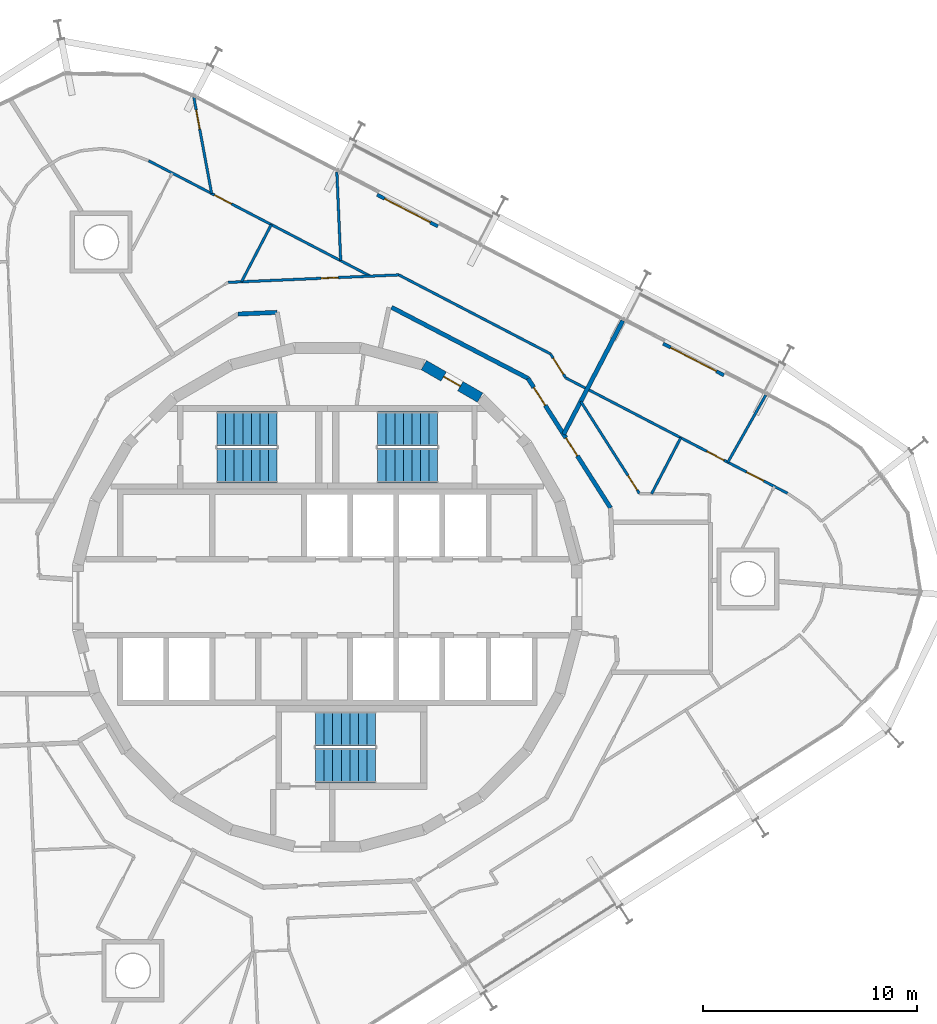
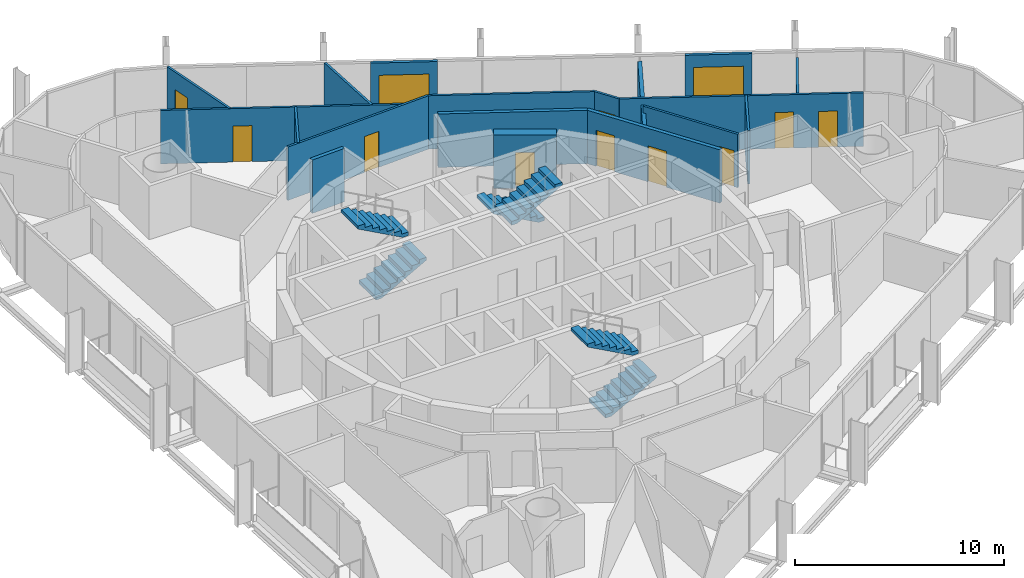
# One storey, part 16 of 17: 18 walls, 12 doors, 6 stair flights, 12 openings, 3 elements without a shape of their own.
"""IFC4 building model written with IfcOpenShell, lengths in metres."""

from ifc_helpers import new_model, si_unit, direction, frame, frame_2d, origin, place, context, subcontext, project, spatial, polyline, rectangle, outline, extrude, material, layer, layer_set, type_object, element, fill, aggregate, save


model = new_model("IFC4")

# Units and contexts
model_context = context("Model", 3, precision=1e-05, world=origin(), true_north=direction((0.0, 1.0)))
body_context = subcontext(model_context, "Body", "Model", "MODEL_VIEW")
ifc_project = project(units=[si_unit("LENGTHUNIT", "METRE"), si_unit("AREAUNIT", "SQUARE_METRE"), si_unit("VOLUMEUNIT", "CUBIC_METRE"), si_unit("PLANEANGLEUNIT", "RADIAN"), si_unit("MASSUNIT", "GRAM", prefix="KILO")], contexts=[model_context])

# Site, building, storey
site_placement = place(None, origin())
site = spatial("IfcSite", under=ifc_project, at=site_placement, CompositionType="ELEMENT")
building_placement = place(site_placement, origin())
building = spatial("IfcBuilding", under=site, at=building_placement, Name="Spindle Arch Residences", CompositionType="ELEMENT")
storey_placement = place(building_placement, frame((0.0, 0.0, 237.199951171875)))
storey = spatial("IfcBuildingStorey", under=building, at=storey_placement, Name="L60", CompositionType="ELEMENT", Elevation=237.199951171875)

# Wall, opening, door
ifc_material_1 = material(Name="Concrete C50/60", Category="concrete")
ifc_layer_1 = layer(ifc_material_1, 0.5)
ifc_layer_set_1 = layer_set([ifc_layer_1], Name="Core outline wall 500")
wall_type_1 = type_object("IfcWallType", Name="Core outline wall 500", PredefinedType="SHEAR", material=ifc_layer_set_1)
wall_1_placement = place(storey_placement, frame((7.13671875, 9.32861328125, 0.0), z_axis=(0.0, 0.0, 1.0), x_axis=(-0.865975092491, 0.500087131594, 0.0)))
wall_1 = element("IfcWall", 1, at=wall_1_placement, inside=storey, type_object=wall_type_1, Name="Core outline wall 10", PredefinedType="SHEAR", context=body_context, shape_type="SweptSolid", body=[
    extrude(rectangle(XDim=3.03271484375, YDim=0.5, at=frame_2d((1.516357421875, 0.0))), origin(), (0.0, 0.0, 1.0), 3.1201171875),
])
opening_1_placement = place(wall_1_placement, frame((1.06640625, 0.0, 0.0)))
opening_1 = element("IfcOpeningElement", 2, at=opening_1_placement, cuts=wall_1, Name="Opening R6B1-WD12", PredefinedType="OPENING", context=body_context, shape_type="SweptSolid", body=[
    extrude(rectangle(XDim=0.89990234375, YDim=2.10009765625, at=frame_2d((0.449951171875, 1.050048828125))), frame((0.0, 0.260009765625, 0.0), z_axis=(0.0, -1.0, 0.0), x_axis=(1.0, 0.0, 0.0)), (0.0, 0.0, 1.0), 0.52001953125),
])
ifc_material_2 = material(Name="Steel, fire-resisting door", Category="steel")
door_type_1 = type_object("IfcDoorType", Name="Service room door 900x2100", OperationType="SINGLE_SWING_LEFT", PredefinedType="DOOR", material=ifc_material_2)
door_1_placement = place(opening_1_placement, origin())
door_1 = element("IfcDoor", 3, at=door_1_placement, inside=storey, type_object=door_type_1, Name="Service room door R6B1-WD12", OperationType="SINGLE_SWING_RIGHT", OverallHeight=2.10009765625, OverallWidth=0.89990234375, PredefinedType="DOOR", context=body_context, shape_type="SweptSolid", body=[
    extrude(rectangle(XDim=0.89990234375, YDim=2.10009765625, at=frame_2d((0.449951171875, 1.050048828125))), frame((0.0, 0.02490234375, 0.0), z_axis=(0.0, -1.0, 0.0), x_axis=(1.0, 0.0, 0.0)), (0.0, 0.0, 1.0), 0.050048828125),
])
fill(opening_1, door_1)

# Wall, openings, doors
ifc_material_3 = material(Name="Calcium silicate block, plastered")
ifc_layer_2 = layer(ifc_material_3, 0.199951171875)
ifc_layer_set_2 = layer_set([ifc_layer_2], Name="Corridor wall 200")
wall_type_2 = type_object("IfcWallType", Name="Corridor wall 200", PredefinedType="STANDARD", material=ifc_layer_set_2)
wall_2_placement = place(storey_placement, frame((13.230712890625, 4.171630859375, 0.0), z_axis=(0.0, 0.0, 1.0), x_axis=(-0.537304397561, 0.843388394728, 0.0)))
wall_2 = element("IfcWall", 4, at=wall_2_placement, inside=storey, type_object=wall_type_2, Name="Corridor wall R6B1-W004", PredefinedType="STANDARD", context=body_context, shape_type="SweptSolid", body=[
    extrude(rectangle(XDim=7.180908203125, YDim=0.199951171875, at=frame_2d((3.59033203125, 0.0))), origin(), (0.0, 0.0, 1.0), 3.1201171875),
])
opening_2_placement = place(wall_2_placement, frame((2.881103515625, 0.0, 0.0)))
opening_2 = element("IfcOpeningElement", 5, at=opening_2_placement, cuts=wall_2, Name="Opening R6B1-FD01", PredefinedType="OPENING", context=body_context, shape_type="SweptSolid", body=[
    extrude(rectangle(XDim=1.0, YDim=2.10009765625, at=frame_2d((0.5, 1.050048828125))), frame((0.0, 0.10986328125, 0.0), z_axis=(0.0, -1.0, 0.0), x_axis=(1.0, 0.0, 0.0)), (0.0, 0.0, 1.0), 0.219970703125),
])
opening_3_placement = place(wall_2_placement, frame((5.68115234375, 0.0, 0.0)))
opening_3 = element("IfcOpeningElement", 6, at=opening_3_placement, cuts=wall_2, Name="Opening R6B1-FD02", PredefinedType="OPENING", context=body_context, shape_type="SweptSolid", body=[
    extrude(rectangle(XDim=1.0, YDim=2.10009765625, at=frame_2d((0.5, 1.050048828125))), frame((0.0, 0.10986328125, 0.0), z_axis=(0.0, -1.0, 0.0), x_axis=(1.0, 0.0, 0.0)), (0.0, 0.0, 1.0), 0.219970703125),
])
ifc_material_4 = material(Name="Timber, fire-resisting door set", Category="wood")
door_type_2 = type_object("IfcDoorType", Name="Flat entrance door 1000x2100", OperationType="NOTDEFINED", PredefinedType="DOOR", material=ifc_material_4)
door_2_placement = place(opening_2_placement, origin())
door_2 = element("IfcDoor", 7, at=door_2_placement, inside=storey, type_object=door_type_2, Name="Flat entrance door R6B1-FD01", OperationType="SINGLE_SWING_LEFT", OverallHeight=2.10009765625, OverallWidth=1.0, PredefinedType="DOOR", context=body_context, shape_type="SweptSolid", body=[
    extrude(rectangle(XDim=1.0, YDim=2.10009765625, at=frame_2d((0.5, 1.050048828125))), frame((0.0, 0.02490234375, 0.0), z_axis=(0.0, -1.0, 0.0), x_axis=(1.0, 0.0, 0.0)), (0.0, 0.0, 1.0), 0.050048828125),
])
fill(opening_2, door_2)
door_3_placement = place(opening_3_placement, origin())
door_3 = element("IfcDoor", 8, at=door_3_placement, inside=storey, type_object=door_type_2, Name="Flat entrance door R6B1-FD02", OperationType="SINGLE_SWING_LEFT", OverallHeight=2.10009765625, OverallWidth=1.0, PredefinedType="DOOR", context=body_context, shape_type="SweptSolid", body=[
    extrude(rectangle(XDim=1.0, YDim=2.10009765625, at=frame_2d((0.5, 1.050048828125))), frame((0.0, 0.02490234375, 0.0), z_axis=(0.0, -1.0, 0.0), x_axis=(1.0, 0.0, 0.0)), (0.0, 0.0, 1.0), 0.050048828125),
])
fill(opening_3, door_3)

# Walls
wall_3_placement = place(storey_placement, frame((9.372314453125, 10.22802734375, 0.0), z_axis=(0.0, 0.0, 1.0), x_axis=(-0.887005184532, 0.461759464021, 0.0)))
element("IfcWall", 9, at=wall_3_placement, inside=storey, type_object=wall_type_2, Name="Corridor wall R6B1-W005", PredefinedType="STANDARD", context=body_context, shape_type="SweptSolid", body=[
    extrude(rectangle(XDim=7.18115234375, YDim=0.199951171875, at=frame_2d((3.590576171875, 0.0))), origin(), (0.0, 0.0, 1.0), 3.1201171875),
])
wall_4_placement = place(storey_placement, frame((-2.346923828125, 13.310302734375, 0.0), z_axis=(0.0, 0.0, 1.0), x_axis=(-0.999050095671, -0.043576442492, 0.0)))
element("IfcWall", 10, at=wall_4_placement, inside=storey, type_object=wall_type_2, Name="Corridor wall R6B1-W011", PredefinedType="STANDARD", context=body_context, shape_type="SweptSolid", body=[
    extrude(rectangle(XDim=1.826416015625, YDim=0.199951171875, at=frame_2d((0.9130859375, 0.0))), origin(), (0.0, 0.0, 1.0), 3.1201171875),
])

# Wall, opening, door
ifc_material_5 = material(Name="Plasterboard on steel studs", Category="steel")
ifc_layer_3 = layer(ifc_material_5, 0.1201171875)
ifc_layer_set_3 = layer_set([ifc_layer_3], Name="Flat partition 120")
wall_type_3 = type_object("IfcWallType", Name="Flat partition 120", PredefinedType="PARTITIONING", material=ifc_layer_set_3)
wall_5_placement = place(storey_placement, frame((14.580078125, 4.844970703125, 0.0), z_axis=(0.0, 0.0, 1.0), x_axis=(-0.537283960997, 0.84340141407, 0.0)))
wall_5 = element("IfcWall", 11, at=wall_5_placement, inside=storey, type_object=wall_type_3, Name="Flat partition R6B1-W039", PredefinedType="PARTITIONING", context=body_context, shape_type="SweptSolid", body=[
    extrude(rectangle(XDim=5.104248046875, YDim=0.1201171875, at=frame_2d((2.55224609375, 0.0))), origin(), (0.0, 0.0, 1.0), 3.1201171875),
])
opening_4_placement = place(wall_5_placement, frame((0.199951171875, 0.0, 0.0)))
opening_4 = element("IfcOpeningElement", 12, at=opening_4_placement, cuts=wall_5, Name="Opening R6B1-BD01", PredefinedType="OPENING", context=body_context, shape_type="SweptSolid", body=[
    extrude(rectangle(XDim=0.800048828125, YDim=2.10009765625, at=frame_2d((0.39990234375, 1.050048828125))), frame((0.0, 0.070068359375, 0.0), z_axis=(0.0, -1.0, 0.0), x_axis=(1.0, 0.0, 0.0)), (0.0, 0.0, 1.0), 0.14013671875),
])
ifc_material_6 = material(Name="Timber door set", Category="wood")
door_type_3 = type_object("IfcDoorType", Name="Bathroom door 800x2100", OperationType="NOTDEFINED", PredefinedType="DOOR", material=ifc_material_6)
door_4_placement = place(opening_4_placement, origin())
door_4 = element("IfcDoor", 13, at=door_4_placement, inside=storey, type_object=door_type_3, Name="Bathroom door R6B1-BD01", OperationType="SINGLE_SWING_LEFT", OverallHeight=2.10009765625, OverallWidth=0.800048828125, PredefinedType="DOOR", context=body_context, shape_type="SweptSolid", body=[
    extrude(rectangle(XDim=0.800048828125, YDim=2.10009765625, at=frame_2d((0.39990234375, 1.050048828125))), frame((0.0, 0.02490234375, 0.0), z_axis=(0.0, -1.0, 0.0), x_axis=(1.0, 0.0, 0.0)), (0.0, 0.0, 1.0), 0.050048828125),
])
fill(opening_4, door_4)

# Wall, openings, doors
wall_6_placement = place(storey_placement, frame((21.495849609375, 4.857666015625, 0.0), z_axis=(0.0, 0.0, 1.0), x_axis=(-0.887020940825, 0.461729196107, 0.0)))
wall_6 = element("IfcWall", 14, at=wall_6_placement, inside=storey, type_object=wall_type_3, Name="Flat partition R6B1-W047", PredefinedType="PARTITIONING", context=body_context, shape_type="SweptSolid", body=[
    extrude(rectangle(XDim=11.678466796875, YDim=0.1201171875, at=frame_2d((5.83935546875, 0.0))), origin(), (0.0, 0.0, 1.0), 3.1201171875),
])
opening_5_placement = place(wall_6_placement, frame((1.25146484375, 0.0, 0.0)))
opening_5 = element("IfcOpeningElement", 15, at=opening_5_placement, cuts=wall_6, Name="Opening R6B1-ID03", PredefinedType="OPENING", context=body_context, shape_type="SweptSolid", body=[
    extrude(rectangle(XDim=0.89990234375, YDim=2.10009765625, at=frame_2d((0.449951171875, 1.050048828125))), frame((0.0, 0.070068359375, 0.0), z_axis=(0.0, -1.0, 0.0), x_axis=(1.0, 0.0, 0.0)), (0.0, 0.0, 1.0), 0.14013671875),
])
opening_6_placement = place(wall_6_placement, frame((3.341064453125, 0.0, 0.0)))
opening_6 = element("IfcOpeningElement", 16, at=opening_6_placement, cuts=wall_6, Name="Opening R6B1-ID04", PredefinedType="OPENING", context=body_context, shape_type="SweptSolid", body=[
    extrude(rectangle(XDim=0.89990234375, YDim=2.10009765625, at=frame_2d((0.449951171875, 1.050048828125))), frame((0.0, 0.070068359375, 0.0), z_axis=(0.0, -1.0, 0.0), x_axis=(1.0, 0.0, 0.0)), (0.0, 0.0, 1.0), 0.14013671875),
])
ifc_material_7 = material(Name="Timber door set", Category="wood")
door_type_4 = type_object("IfcDoorType", Name="Room door 900x2100", OperationType="NOTDEFINED", PredefinedType="DOOR", material=ifc_material_7)
door_5_placement = place(opening_5_placement, origin())
door_5 = element("IfcDoor", 17, at=door_5_placement, inside=storey, type_object=door_type_4, Name="Room door R6B1-ID03", OperationType="SINGLE_SWING_LEFT", OverallHeight=2.10009765625, OverallWidth=0.89990234375, PredefinedType="DOOR", context=body_context, shape_type="SweptSolid", body=[
    extrude(rectangle(XDim=0.89990234375, YDim=2.10009765625, at=frame_2d((0.449951171875, 1.050048828125))), frame((0.0, 0.02490234375, 0.0), z_axis=(0.0, -1.0, 0.0), x_axis=(1.0, 0.0, 0.0)), (0.0, 0.0, 1.0), 0.050048828125),
])
fill(opening_5, door_5)
door_6_placement = place(opening_6_placement, origin())
door_6 = element("IfcDoor", 18, at=door_6_placement, inside=storey, type_object=door_type_4, Name="Room door R6B1-ID04", OperationType="SINGLE_SWING_LEFT", OverallHeight=2.10009765625, OverallWidth=0.89990234375, PredefinedType="DOOR", context=body_context, shape_type="SweptSolid", body=[
    extrude(rectangle(XDim=0.89990234375, YDim=2.10009765625, at=frame_2d((0.449951171875, 1.050048828125))), frame((0.0, 0.02490234375, 0.0), z_axis=(0.0, -1.0, 0.0), x_axis=(1.0, 0.0, 0.0)), (0.0, 0.0, 1.0), 0.050048828125),
])
fill(opening_6, door_6)

# Wall
wall_7_placement = place(storey_placement, frame((16.510498046875, 7.45263671875, 0.0), z_axis=(0.0, 0.0, 1.0), x_axis=(-0.461756693023, -0.88700662706, 0.0)))
element("IfcWall", 19, at=wall_7_placement, inside=storey, type_object=wall_type_3, Name="Flat partition R6B1-W048", PredefinedType="PARTITIONING", context=body_context, shape_type="SweptSolid", body=[
    extrude(rectangle(XDim=2.94921875, YDim=0.1201171875, at=frame_2d((1.474609375, 0.0))), origin(), (0.0, 0.0, 1.0), 3.1201171875),
])

# Wall, opening, door
wall_8_placement = place(storey_placement, frame((11.13671875, 10.25, 0.0), z_axis=(0.0, 0.0, 1.0), x_axis=(-0.537231369635, 0.843434914786, 0.0)))
wall_8 = element("IfcWall", 20, at=wall_8_placement, inside=storey, type_object=wall_type_3, Name="Flat partition R6B1-W050", PredefinedType="PARTITIONING", context=body_context, shape_type="SweptSolid", body=[
    extrude(rectangle(XDim=1.33154296875, YDim=0.1201171875, at=frame_2d((0.665771484375, 0.0))), origin(), (0.0, 0.0, 1.0), 3.1201171875),
])
opening_7_placement = place(wall_8_placement, frame((0.199951171875, 0.0, 0.0)))
opening_7 = element("IfcOpeningElement", 21, at=opening_7_placement, cuts=wall_8, Name="Opening R6B1-ID06", PredefinedType="OPENING", context=body_context, shape_type="SweptSolid", body=[
    extrude(rectangle(XDim=0.89990234375, YDim=2.10009765625, at=frame_2d((0.449951171875, 1.050048828125))), frame((0.0, 0.070068359375, 0.0), z_axis=(0.0, -1.0, 0.0), x_axis=(1.0, 0.0, 0.0)), (0.0, 0.0, 1.0), 0.14013671875),
])
door_7_placement = place(opening_7_placement, origin())
door_7 = element("IfcDoor", 22, at=door_7_placement, inside=storey, type_object=door_type_4, Name="Room door R6B1-ID06", OperationType="SINGLE_SWING_LEFT", OverallHeight=2.10009765625, OverallWidth=0.89990234375, PredefinedType="DOOR", context=body_context, shape_type="SweptSolid", body=[
    extrude(rectangle(XDim=0.89990234375, YDim=2.10009765625, at=frame_2d((0.449951171875, 1.050048828125))), frame((0.0, 0.02490234375, 0.0), z_axis=(0.0, -1.0, 0.0), x_axis=(1.0, 0.0, 0.0)), (0.0, 0.0, 1.0), 0.050048828125),
])
fill(opening_7, door_7)

# Wall
wall_9_placement = place(storey_placement, frame((10.42138671875, 11.373046875, 0.0), z_axis=(0.0, 0.0, 1.0), x_axis=(-0.887012970857, 0.461744506769, 0.0)))
element("IfcWall", 23, at=wall_9_placement, inside=storey, type_object=wall_type_3, Name="Flat partition R6B1-W051", PredefinedType="PARTITIONING", context=body_context, shape_type="SweptSolid", body=[
    extrude(rectangle(XDim=7.98486328125, YDim=0.1201171875, at=frame_2d((3.992431640625, 0.0))), origin(), (0.0, 0.0, 1.0), 3.1201171875),
])

# Wall, opening, door
wall_10_placement = place(storey_placement, frame((3.338623046875, 15.06005859375, 0.0), z_axis=(0.0, 0.0, 1.0), x_axis=(-0.999047716945, -0.043630943905, 0.0)))
wall_10 = element("IfcWall", 24, at=wall_10_placement, inside=storey, type_object=wall_type_3, Name="Flat partition R6B1-W052", PredefinedType="PARTITIONING", context=body_context, shape_type="SweptSolid", body=[
    extrude(rectangle(XDim=7.98486328125, YDim=0.1201171875, at=frame_2d((3.992431640625, 0.0))), origin(), (0.0, 0.0, 1.0), 3.1201171875),
])
opening_8_placement = place(wall_10_placement, frame((2.831298828125, 0.0, 0.0)))
opening_8 = element("IfcOpeningElement", 25, at=opening_8_placement, cuts=wall_10, Name="Opening R6B1-BD02", PredefinedType="OPENING", context=body_context, shape_type="SweptSolid", body=[
    extrude(rectangle(XDim=0.800048828125, YDim=2.10009765625, at=frame_2d((0.39990234375, 1.050048828125))), frame((0.0, 0.070068359375, 0.0), z_axis=(0.0, -1.0, 0.0), x_axis=(1.0, 0.0, 0.0)), (0.0, 0.0, 1.0), 0.14013671875),
])
door_8_placement = place(opening_8_placement, origin())
door_8 = element("IfcDoor", 26, at=door_8_placement, inside=storey, type_object=door_type_3, Name="Bathroom door R6B1-BD02", OperationType="SINGLE_SWING_RIGHT", OverallHeight=2.10009765625, OverallWidth=0.800048828125, PredefinedType="DOOR", context=body_context, shape_type="SweptSolid", body=[
    extrude(rectangle(XDim=0.800048828125, YDim=2.10009765625, at=frame_2d((0.39990234375, 1.050048828125))), frame((0.0, 0.02490234375, 0.0), z_axis=(0.0, -1.0, 0.0), x_axis=(1.0, 0.0, 0.0)), (0.0, 0.0, 1.0), 0.050048828125),
])
fill(opening_8, door_8)

wall_11_placement = place(storey_placement, frame((-8.350341796875, 20.394287109375, 0.0), z_axis=(0.0, 0.0, 1.0), x_axis=(0.887020940825, -0.461729196107, 0.0)))
wall_11 = element("IfcWall", 27, at=wall_11_placement, inside=storey, type_object=wall_type_3, Name="Flat partition R6B1-W054", PredefinedType="PARTITIONING", context=body_context, shape_type="SweptSolid", body=[
    extrude(rectangle(XDim=11.678466796875, YDim=0.1201171875, at=frame_2d((5.83935546875, 0.0))), origin(), (0.0, 0.0, 1.0), 3.1201171875),
])
opening_9_placement = place(wall_11_placement, frame((3.468505859375, 0.0, 0.0)))
opening_9 = element("IfcOpeningElement", 28, at=opening_9_placement, cuts=wall_11, Name="Opening R6B1-ID08", PredefinedType="OPENING", context=body_context, shape_type="SweptSolid", body=[
    extrude(rectangle(XDim=0.89990234375, YDim=2.10009765625, at=frame_2d((0.449951171875, 1.050048828125))), frame((0.0, 0.070068359375, 0.0), z_axis=(0.0, -1.0, 0.0), x_axis=(1.0, 0.0, 0.0)), (0.0, 0.0, 1.0), 0.14013671875),
])
door_9_placement = place(opening_9_placement, origin())
door_9 = element("IfcDoor", 29, at=door_9_placement, inside=storey, type_object=door_type_4, Name="Room door R6B1-ID08", OperationType="SINGLE_SWING_RIGHT", OverallHeight=2.10009765625, OverallWidth=0.89990234375, PredefinedType="DOOR", context=body_context, shape_type="SweptSolid", body=[
    extrude(rectangle(XDim=0.89990234375, YDim=2.10009765625, at=frame_2d((0.449951171875, 1.050048828125))), frame((0.0, 0.02490234375, 0.0), z_axis=(0.0, -1.0, 0.0), x_axis=(1.0, 0.0, 0.0)), (0.0, 0.0, 1.0), 0.050048828125),
])
fill(opening_9, door_9)

# Walls
wall_12_placement = place(storey_placement, frame((0.4423828125, 19.875732421875, 0.0), z_axis=(0.0, 0.0, 1.0), x_axis=(0.043638577658, -0.999047383531, 0.0)))
element("IfcWall", 30, at=wall_12_placement, inside=storey, type_object=wall_type_3, Name="Flat partition R6B1-W055", PredefinedType="PARTITIONING", context=body_context, shape_type="SweptSolid", body=[
    extrude(rectangle(XDim=4.15673828125, YDim=0.1201171875, at=frame_2d((2.078369140625, 0.0))), origin(), (0.0, 0.0, 1.0), 3.1201171875),
])
wall_13_placement = place(storey_placement, frame((-2.619140625, 17.410888671875, 0.0), z_axis=(0.0, 0.0, 1.0), x_axis=(-0.461743141736, -0.887013681439, 0.0)))
element("IfcWall", 31, at=wall_13_placement, inside=storey, type_object=wall_type_3, Name="Flat partition R6B1-W056", PredefinedType="PARTITIONING", context=body_context, shape_type="SweptSolid", body=[
    extrude(rectangle(XDim=3.01220703125, YDim=0.1201171875, at=frame_2d((1.506103515625, 0.0))), origin(), (0.0, 0.0, 1.0), 3.1201171875),
])

# Wall, opening, door
wall_14_placement = place(storey_placement, frame((-6.23681640625, 23.352783203125, 0.0), z_axis=(0.0, 0.0, 1.0), x_axis=(0.181909323114, -0.983315309636, 0.0)))
wall_14 = element("IfcWall", 32, at=wall_14_placement, inside=storey, type_object=wall_type_3, Name="Flat partition R6B1-W057", PredefinedType="PARTITIONING", context=body_context, shape_type="SweptSolid", body=[
    extrude(rectangle(XDim=4.567138671875, YDim=0.1201171875, at=frame_2d((2.28369140625, 0.0))), origin(), (0.0, 0.0, 1.0), 3.1201171875),
])
opening_10_placement = place(wall_14_placement, frame((0.60009765625, 0.0, 0.0)))
opening_10 = element("IfcOpeningElement", 33, at=opening_10_placement, cuts=wall_14, Name="Opening R6B1-ID10", PredefinedType="OPENING", context=body_context, shape_type="SweptSolid", body=[
    extrude(rectangle(XDim=0.89990234375, YDim=2.10009765625, at=frame_2d((0.449951171875, 1.050048828125))), frame((0.0, 0.070068359375, 0.0), z_axis=(0.0, -1.0, 0.0), x_axis=(1.0, 0.0, 0.0)), (0.0, 0.0, 1.0), 0.14013671875),
])
door_10_placement = place(opening_10_placement, origin())
door_10 = element("IfcDoor", 34, at=door_10_placement, inside=storey, type_object=door_type_4, Name="Room door R6B1-ID10", OperationType="SINGLE_SWING_RIGHT", OverallHeight=2.10009765625, OverallWidth=0.89990234375, PredefinedType="DOOR", context=body_context, shape_type="SweptSolid", body=[
    extrude(rectangle(XDim=0.89990234375, YDim=2.10009765625, at=frame_2d((0.449951171875, 1.050048828125))), frame((0.0, 0.02490234375, 0.0), z_axis=(0.0, -1.0, 0.0), x_axis=(1.0, 0.0, 0.0)), (0.0, 0.0, 1.0), 0.050048828125),
])
fill(opening_10, door_10)

# Walls
ifc_material_8 = material(Name="Plasterboard on steel studs", Category="steel")
ifc_layer_4 = layer(ifc_material_8, 0.1201171875)
ifc_layer_set_4 = layer_set([ifc_layer_4], Name="Flat partition 120 under beam 2730")
wall_type_4 = type_object("IfcWallType", Name="Flat partition 120 under beam 2730", PredefinedType="PARTITIONING", material=ifc_layer_set_4)
wall_15_placement = place(storey_placement, frame((20.480224609375, 9.44482421875, 0.0), z_axis=(0.0, 0.0, 1.0), x_axis=(-0.491518927659, -0.870866892098, 0.0)))
element("IfcWall", 35, at=wall_15_placement, inside=storey, type_object=wall_type_4, Name="Flat partition R6B1-W049", PredefinedType="PARTITIONING", context=body_context, shape_type="SweptSolid", body=[
    extrude(rectangle(XDim=3.60205078125, YDim=0.1201171875, at=frame_2d((1.801025390625, 0.0))), origin(), (0.0, 0.0, 1.0), 2.72998046875),
])
ifc_material_9 = material(Name="Calcium silicate block, plastered")
ifc_layer_5 = layer(ifc_material_9, 0.199951171875)
ifc_layer_set_5 = layer_set([ifc_layer_5], Name="Flat party wall 200 under beam 2730")
wall_type_5 = type_object("IfcWallType", Name="Flat party wall 200 under beam 2730", PredefinedType="STANDARD", material=ifc_layer_set_5)
wall_16_placement = place(storey_placement, frame((13.801025390625, 12.921875, 0.0), z_axis=(0.0, 0.0, 1.0), x_axis=(-0.461726485624, -0.887022351733, 0.0)))
element("IfcWall", 36, at=wall_16_placement, inside=storey, type_object=wall_type_5, Name="Flat party wall R6B1-W027", PredefinedType="STANDARD", context=body_context, shape_type="SweptSolid", body=[
    extrude(rectangle(XDim=5.984375, YDim=0.199951171875, at=frame_2d((2.9921875, 0.0))), origin(), (0.0, 0.0, 1.0), 2.72998046875),
])

# Wall, opening, door
ifc_material_10 = material(Name="Non-combustible mineral wool insulated aluminium faced external wall (K0)", Category="aluminium")
ifc_layer_6 = layer(ifc_material_10, 0.159912109375)
ifc_layer_set_6 = layer_set([ifc_layer_6], Name="Insulated external wall panel 160")
wall_type_6 = type_object("IfcWallType", Name="Insulated external wall panel 160", PredefinedType="STANDARD", material=ifc_layer_set_6)
wall_17_placement = place(storey_placement, frame((18.52294921875, 10.37353515625, 0.0), z_axis=(0.0, 0.0, 1.0), x_axis=(-0.887014349583, 0.461741858221, 0.0)))
wall_17 = element("IfcWall", 37, at=wall_17_placement, inside=storey, type_object=wall_type_6, Name="External wall L60 bay 6", PredefinedType="STANDARD", context=body_context, shape_type="SweptSolid", body=[
    extrude(rectangle(XDim=3.199951171875, YDim=0.159912109375, at=frame_2d((1.60009765625, 0.0))), origin(), (0.0, 0.0, 1.0), 3.1201171875),
])
opening_11_placement = place(wall_17_placement, frame((0.39990234375, 0.0, 0.0)))
opening_11 = element("IfcOpeningElement", 38, at=opening_11_placement, cuts=wall_17, Name="Opening BD06", PredefinedType="OPENING", context=body_context, shape_type="SweptSolid", body=[
    extrude(rectangle(XDim=2.39990234375, YDim=2.39990234375, at=frame_2d((1.199951171875, 1.199951171875))), frame((0.0, 0.08984375, 0.0), z_axis=(0.0, -1.0, 0.0), x_axis=(1.0, 0.0, 0.0)), (0.0, 0.0, 1.0), 0.179931640625),
])
ifc_material_11 = material(Name="Bronze aluminium frame, tinted double glazing", Category="aluminium")
door_type_5 = type_object("IfcDoorType", Name="Sliding glazed balcony door 2400x2400", OperationType="DOUBLE_DOOR_SLIDING", PredefinedType="DOOR", material=ifc_material_11)
door_11_placement = place(opening_11_placement, origin())
door_11 = element("IfcDoor", 39, at=door_11_placement, inside=storey, type_object=door_type_5, Name="Balcony door BD06", OperationType="DOUBLE_DOOR_SLIDING", OverallHeight=2.39990234375, OverallWidth=2.39990234375, PredefinedType="DOOR", context=body_context, shape_type="SweptSolid", body=[
    extrude(rectangle(XDim=2.39990234375, YDim=2.39990234375, at=frame_2d((1.199951171875, 1.199951171875))), frame((0.0, 0.02490234375, 0.0), z_axis=(0.0, -1.0, 0.0), x_axis=(1.0, 0.0, 0.0)), (0.0, 0.0, 1.0), 0.050048828125),
])
fill(opening_11, door_11)

wall_18_placement = place(storey_placement, frame((5.164306640625, 17.327392578125, 0.0), z_axis=(0.0, 0.0, 1.0), x_axis=(-0.886983100078, 0.461801884119, 0.0)))
wall_18 = element("IfcWall", 40, at=wall_18_placement, inside=storey, type_object=wall_type_6, Name="External wall L60 bay 8", PredefinedType="STANDARD", context=body_context, shape_type="SweptSolid", body=[
    extrude(rectangle(XDim=3.199951171875, YDim=0.159912109375, at=frame_2d((1.60009765625, 0.0))), origin(), (0.0, 0.0, 1.0), 3.1201171875),
])
opening_12_placement = place(wall_18_placement, frame((0.39990234375, 0.0, 0.0)))
opening_12 = element("IfcOpeningElement", 41, at=opening_12_placement, cuts=wall_18, Name="Opening BD08", PredefinedType="OPENING", context=body_context, shape_type="SweptSolid", body=[
    extrude(rectangle(XDim=2.39990234375, YDim=2.39990234375, at=frame_2d((1.199951171875, 1.199951171875))), frame((0.0, 0.08984375, 0.0), z_axis=(0.0, -1.0, 0.0), x_axis=(1.0, 0.0, 0.0)), (0.0, 0.0, 1.0), 0.179931640625),
])
door_12_placement = place(opening_12_placement, origin())
door_12 = element("IfcDoor", 42, at=door_12_placement, inside=storey, type_object=door_type_5, Name="Balcony door BD08", OperationType="DOUBLE_DOOR_SLIDING", OverallHeight=2.39990234375, OverallWidth=2.39990234375, PredefinedType="DOOR", context=body_context, shape_type="SweptSolid", body=[
    extrude(rectangle(XDim=2.39990234375, YDim=2.39990234375, at=frame_2d((1.199951171875, 1.199951171875))), frame((0.0, 0.02490234375, 0.0), z_axis=(0.0, -1.0, 0.0), x_axis=(1.0, 0.0, 0.0)), (0.0, 0.0, 1.0), 0.050048828125),
])
fill(opening_12, door_12)

# Stair, stair flights
ifc_material_12 = material(Name="Concrete C50/60", Category="concrete")
stair_type = type_object("IfcStairType", Name="Exit stair 16 risers", PredefinedType="HALF_TURN_STAIR", material=ifc_material_12)
stair_1_placement = place(storey_placement, origin())
stair_1 = element("IfcStair", 43, at=stair_1_placement, inside=storey, type_object=stair_type, Name="L60 Exit stair ST1", PredefinedType="HALF_TURN_STAIR")
ifc_material_13 = material(Name="Concrete C50/60", Category="concrete")
stair_flight_type = type_object("IfcStairFlightType", Name="Exit stair flight", PredefinedType="STRAIGHT", material=ifc_material_13)
stair_flight_1_placement = place(storey_placement, frame((5.14990234375, 7.8701171875, 0.0), z_axis=(0.0, 0.0, 1.0), x_axis=(-1.0, 0.0, 0.0)))
stair_flight_1 = element("IfcStairFlight", 44, at=stair_flight_1_placement, type_object=stair_flight_type, Name="ST1 flight 1", NumberOfRisers=8, NumberOfTreads=7, PredefinedType="STRAIGHT", RiserHeight=0.21875, TreadLength=0.4, context=body_context, shape_type="SweptSolid", body=[
    extrude(outline(polyline([(0.0, 0.0), (0.0, 0.21875), (0.39990234375, 0.21875), (0.39990234375, 0.4375), (0.800048828125, 0.4375), (0.800048828125, 0.65625), (1.199951171875, 0.65625), (1.199951171875, 0.875), (1.60009765625, 0.875), (1.60009765625, 1.09375), (2.0, 1.09375), (2.0, 1.3125), (2.39990234375, 1.3125), (2.39990234375, 1.53125), (2.800048828125, 1.53125), (2.800048828125, 1.75), (2.800048828125, 1.3603515625), (0.3125, 0.0), (0.0, 0.0)])), frame((0.0, 0.800048828125, 0.0), z_axis=(0.0, -1.0, 0.0), x_axis=(1.0, 0.0, 0.0)), (0.0, 0.0, 1.0), 1.60009765625),
])
stair_flight_2_placement = place(storey_placement, frame((2.35009765625, 6.14990234375, 1.75), z_axis=(0.0, 0.0, 1.0), x_axis=(1.0, 0.0, 0.0)))
stair_flight_2 = element("IfcStairFlight", 45, at=stair_flight_2_placement, type_object=stair_flight_type, Name="ST1 flight 2", NumberOfRisers=8, NumberOfTreads=7, PredefinedType="STRAIGHT", RiserHeight=0.21875, TreadLength=0.4, context=body_context, shape_type="SweptSolid", body=[
    extrude(outline(polyline([(0.0, 0.0), (0.0, 0.21875), (0.39990234375, 0.21875), (0.39990234375, 0.4375), (0.800048828125, 0.4375), (0.800048828125, 0.65625), (1.199951171875, 0.65625), (1.199951171875, 0.875), (1.60009765625, 0.875), (1.60009765625, 1.09375), (2.0, 1.09375), (2.0, 1.3125), (2.39990234375, 1.3125), (2.39990234375, 1.53125), (2.800048828125, 1.53125), (2.800048828125, 1.75), (2.800048828125, 1.3603515625), (0.3125, 0.0), (0.0, 0.0)])), frame((0.0, 0.800048828125, 0.0), z_axis=(0.0, -1.0, 0.0), x_axis=(1.0, 0.0, 0.0)), (0.0, 0.0, 1.0), 1.60009765625),
])
aggregate(stair_1, [stair_flight_1, stair_flight_2])

stair_2_placement = place(storey_placement, origin())
stair_2 = element("IfcStair", 46, at=stair_2_placement, inside=storey, type_object=stair_type, Name="L60 Exit stair ST2", PredefinedType="HALF_TURN_STAIR")
stair_flight_3_placement = place(storey_placement, frame((-5.14990234375, 6.14990234375, 0.0), z_axis=(0.0, 0.0, 1.0), x_axis=(1.0, 0.0, 0.0)))
stair_flight_3 = element("IfcStairFlight", 47, at=stair_flight_3_placement, type_object=stair_flight_type, Name="ST2 flight 1", NumberOfRisers=8, NumberOfTreads=7, PredefinedType="STRAIGHT", RiserHeight=0.21875, TreadLength=0.4, context=body_context, shape_type="SweptSolid", body=[
    extrude(outline(polyline([(0.0, 0.0), (0.0, 0.21875), (0.39990234375, 0.21875), (0.39990234375, 0.4375), (0.800048828125, 0.4375), (0.800048828125, 0.65625), (1.199951171875, 0.65625), (1.199951171875, 0.875), (1.60009765625, 0.875), (1.60009765625, 1.09375), (2.0, 1.09375), (2.0, 1.3125), (2.39990234375, 1.3125), (2.39990234375, 1.53125), (2.800048828125, 1.53125), (2.800048828125, 1.75), (2.800048828125, 1.3603515625), (0.3125, 0.0), (0.0, 0.0)])), frame((0.0, 0.800048828125, 0.0), z_axis=(0.0, -1.0, 0.0), x_axis=(1.0, 0.0, 0.0)), (0.0, 0.0, 1.0), 1.60009765625),
])
stair_flight_4_placement = place(storey_placement, frame((-2.35009765625, 7.8701171875, 1.75), z_axis=(0.0, 0.0, 1.0), x_axis=(-1.0, 0.0, 0.0)))
stair_flight_4 = element("IfcStairFlight", 48, at=stair_flight_4_placement, type_object=stair_flight_type, Name="ST2 flight 2", NumberOfRisers=8, NumberOfTreads=7, PredefinedType="STRAIGHT", RiserHeight=0.21875, TreadLength=0.4, context=body_context, shape_type="SweptSolid", body=[
    extrude(outline(polyline([(0.0, 0.0), (0.0, 0.21875), (0.39990234375, 0.21875), (0.39990234375, 0.4375), (0.800048828125, 0.4375), (0.800048828125, 0.65625), (1.199951171875, 0.65625), (1.199951171875, 0.875), (1.60009765625, 0.875), (1.60009765625, 1.09375), (2.0, 1.09375), (2.0, 1.3125), (2.39990234375, 1.3125), (2.39990234375, 1.53125), (2.800048828125, 1.53125), (2.800048828125, 1.75), (2.800048828125, 1.3603515625), (0.3125, 0.0), (0.0, 0.0)])), frame((0.0, 0.800048828125, 0.0), z_axis=(0.0, -1.0, 0.0), x_axis=(1.0, 0.0, 0.0)), (0.0, 0.0, 1.0), 1.60009765625),
])
aggregate(stair_2, [stair_flight_3, stair_flight_4])

stair_3_placement = place(storey_placement, origin())
stair_3 = element("IfcStair", 49, at=stair_3_placement, inside=storey, type_object=stair_type, Name="L60 Exit stair ST3", PredefinedType="HALF_TURN_STAIR")
stair_flight_5_placement = place(storey_placement, frame((-0.550048828125, -7.8701171875, 0.0), z_axis=(0.0, 0.0, 1.0), x_axis=(1.0, 0.0, 0.0)))
stair_flight_5 = element("IfcStairFlight", 50, at=stair_flight_5_placement, type_object=stair_flight_type, Name="ST3 flight 1", NumberOfRisers=8, NumberOfTreads=7, PredefinedType="STRAIGHT", RiserHeight=0.21875, TreadLength=0.4, context=body_context, shape_type="SweptSolid", body=[
    extrude(outline(polyline([(0.0, 0.0), (0.0, 0.21875), (0.39990234375, 0.21875), (0.39990234375, 0.4375), (0.800048828125, 0.4375), (0.800048828125, 0.65625), (1.199951171875, 0.65625), (1.199951171875, 0.875), (1.60009765625, 0.875), (1.60009765625, 1.09375), (2.0, 1.09375), (2.0, 1.3125), (2.39990234375, 1.3125), (2.39990234375, 1.53125), (2.800048828125, 1.53125), (2.800048828125, 1.75), (2.800048828125, 1.3603515625), (0.3125, 0.0), (0.0, 0.0)])), frame((0.0, 0.800048828125, 0.0), z_axis=(0.0, -1.0, 0.0), x_axis=(1.0, 0.0, 0.0)), (0.0, 0.0, 1.0), 1.60009765625),
])
stair_flight_6_placement = place(storey_placement, frame((2.25, -6.14990234375, 1.75), z_axis=(0.0, 0.0, 1.0), x_axis=(-1.0, 0.0, 0.0)))
stair_flight_6 = element("IfcStairFlight", 51, at=stair_flight_6_placement, type_object=stair_flight_type, Name="ST3 flight 2", NumberOfRisers=8, NumberOfTreads=7, PredefinedType="STRAIGHT", RiserHeight=0.21875, TreadLength=0.4, context=body_context, shape_type="SweptSolid", body=[
    extrude(outline(polyline([(0.0, 0.0), (0.0, 0.21875), (0.39990234375, 0.21875), (0.39990234375, 0.4375), (0.800048828125, 0.4375), (0.800048828125, 0.65625), (1.199951171875, 0.65625), (1.199951171875, 0.875), (1.60009765625, 0.875), (1.60009765625, 1.09375), (2.0, 1.09375), (2.0, 1.3125), (2.39990234375, 1.3125), (2.39990234375, 1.53125), (2.800048828125, 1.53125), (2.800048828125, 1.75), (2.800048828125, 1.3603515625), (0.3125, 0.0), (0.0, 0.0)])), frame((0.0, 0.800048828125, 0.0), z_axis=(0.0, -1.0, 0.0), x_axis=(1.0, 0.0, 0.0)), (0.0, 0.0, 1.0), 1.60009765625),
])
aggregate(stair_3, [stair_flight_5, stair_flight_6])

save(model, "model.ifc")
